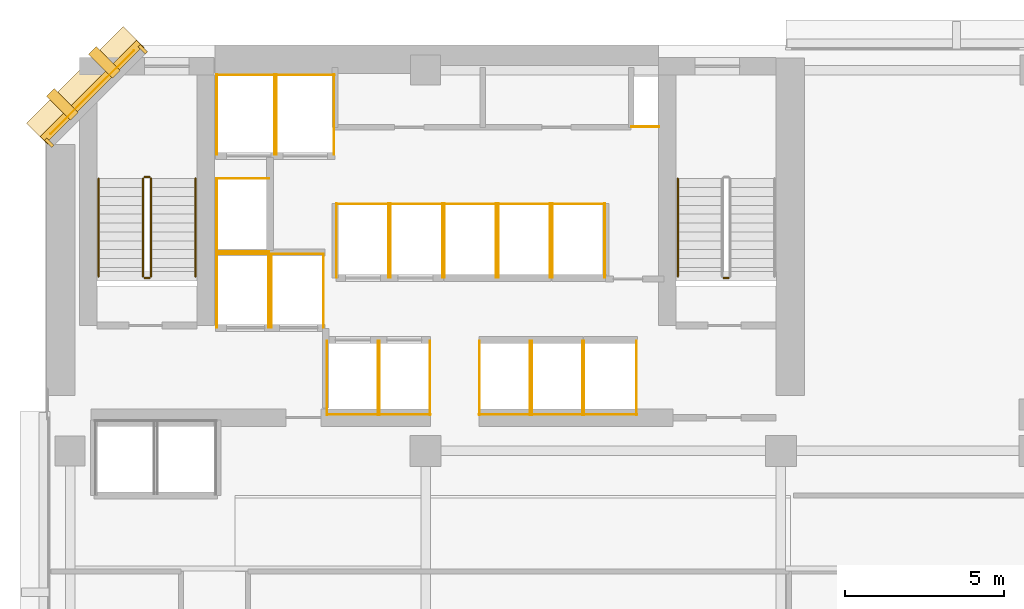
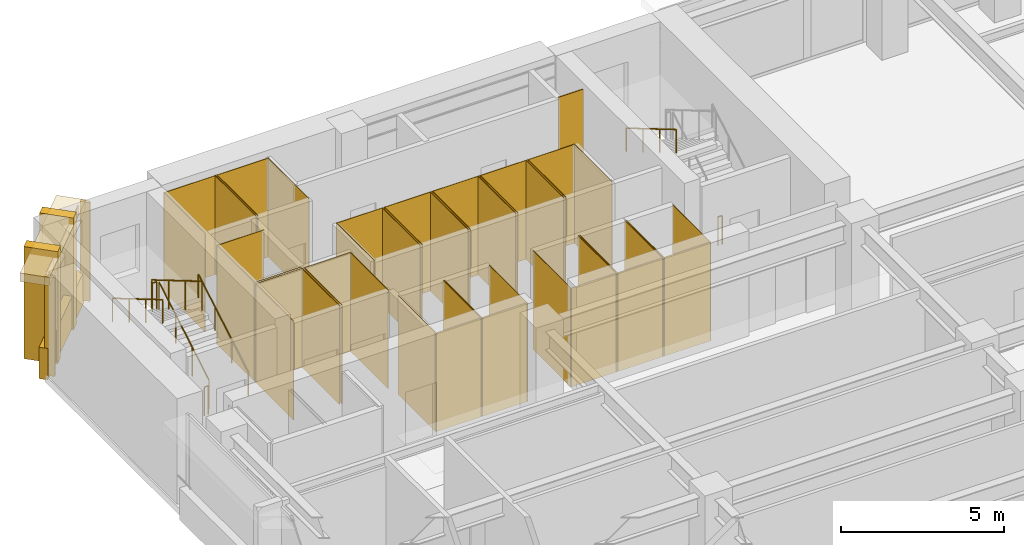
# One storey, part 11 of 13: 53 coverings, 8 railings.
"""IFC4 building model written with IfcOpenShell, lengths in metres."""

from ifc_helpers import new_model, si_unit, direction, frame, origin, origin_2d, place, context, subcontext, project, spatial, polyline, rectangle, circle, outline, extrude, material, layer, layer_set, type_object, element, save


model = new_model("IFC4")

# Units and contexts
model_context = context("Model", 3, precision=1e-05, world=origin(), true_north=direction((0.0, 1.0)))
body_context = subcontext(model_context, "Body", "Model", "MODEL_VIEW")
ifc_project = project(units=[si_unit("LENGTHUNIT", "METRE"), si_unit("AREAUNIT", "SQUARE_METRE"), si_unit("VOLUMEUNIT", "CUBIC_METRE"), si_unit("PLANEANGLEUNIT", "RADIAN"), si_unit("MASSUNIT", "GRAM", prefix="KILO")], contexts=[model_context])

# Site, building, storey
site_placement = place(None, origin())
site = spatial("IfcSite", under=ifc_project, at=site_placement, CompositionType="ELEMENT")
building_placement = place(site_placement, origin())
building = spatial("IfcBuilding", under=site, at=building_placement, Name="Kefirva Bronze Tower", CompositionType="ELEMENT")
storey_placement = place(building_placement, frame((0.0, 0.0, 85.800048828125)))
storey = spatial("IfcBuildingStorey", under=building, at=storey_placement, Name="L20", CompositionType="ELEMENT", Elevation=85.800048828125)

# Coverings
ifc_material_1 = material(Name="Bronze anodised aluminium", Category="aluminium")
ifc_layer_1 = layer(ifc_material_1, 0.02001953125, Name="Bronze anodised aluminium")
ifc_layer_set_1 = layer_set([ifc_layer_1], Name="Bronze anodised aluminium")
covering_type_1 = type_object("IfcCoveringType", Name="Anodised Bronze Spandrel Cladding 20mm", PredefinedType="CLADDING", material=ifc_layer_set_1)
covering_1_placement = place(storey_placement, frame((1.492919921875, 44.507080078125, 3.2900390625), z_axis=(0.0, 0.0, 1.0), x_axis=(-0.707106781187, -0.707106781187, 0.0)))
element("IfcCovering", 1, at=covering_1_placement, inside=storey, type_object=covering_type_1, Name="L20 Bronze Spandrel Cladding 6", PredefinedType="CLADDING", context=body_context, shape_type="SweptSolid", body=[
    extrude(rectangle(XDim=3.719482421875, YDim=0.02001953125, at=origin_2d()), origin(), (0.0, 0.0, 1.0), 0.39990234375),
])
for number, where, z_axis, x_axis, name in (
    (2, (3.08837890625, 45.862060546875, 0.0), (0.0, 0.0, 1.0), (-0.707106781187, -0.707106781187, 0.0), "L20 Facade Joint Closure Panel 6S"),
    (3, (0.137939453125, 42.91162109375, 0.0), (0.0, 0.0, 1.0), (-0.707106781187, -0.707106781187, 0.0), "L20 Facade Joint Closure Panel 6E"),
):
    element("IfcCovering", number, at=place(storey_placement, frame(where, z_axis=z_axis, x_axis=x_axis)), inside=storey, type_object=covering_type_1, Name=name, PredefinedType="CLADDING", context=body_context, shape_type="SweptSolid", body=[
        extrude(rectangle(XDim=0.10009765625, YDim=0.320068359375, at=origin_2d()), origin(), (0.0, 0.0, 1.0), 3.7099609375),
    ])
covering_2_placement = place(storey_placement, frame((1.4716796875, 44.5283203125, -0.16015625), z_axis=(0.0, 0.0, 1.0), x_axis=(-0.707106781187, -0.707106781187, 0.0)))
element("IfcCovering", 4, at=covering_2_placement, inside=storey, type_object=covering_type_1, Name="L20 Streamline Horizontal Spandrel Band 9", PredefinedType="CLADDING", context=body_context, shape_type="SweptSolid", body=[
    extrude(rectangle(XDim=4.28271484375, YDim=0.280029296875, at=origin_2d()), origin(), (0.0, 0.0, 1.0), 1.179931640625),
])
covering_3_placement = place(storey_placement, origin())
element("IfcCovering", 5, at=covering_3_placement, inside=storey, type_object=covering_type_1, Name="L20 Lift FF1 Hoistway Liner N", PredefinedType="CLADDING", context=body_context, shape_type="SweptSolid", body=[
    extrude(outline(polyline([(5.39990234375, 39.389892578125), (7.080078125, 39.389892578125), (7.080078125, 39.409912109375), (5.39990234375, 39.409912109375), (5.39990234375, 39.389892578125)])), origin(), (0.0, 0.0, 1.0), 3.7099609375),
])
covering_4_placement = place(storey_placement, origin())
element("IfcCovering", 6, at=covering_4_placement, inside=storey, type_object=covering_type_1, Name="L20 Lift FF1 Hoistway Liner W", PredefinedType="CLADDING", context=body_context, shape_type="SweptSolid", body=[
    extrude(outline(polyline([(5.409912109375, 37.080078125), (5.429931640625, 37.080078125), (5.429931640625, 39.419921875), (5.409912109375, 39.419921875), (5.409912109375, 37.080078125)])), origin(), (0.0, 0.0, 1.0), 3.7099609375),
])
covering_5_placement = place(storey_placement, origin())
element("IfcCovering", 7, at=covering_5_placement, inside=storey, type_object=covering_type_1, Name="L20 Lift FF1 Hoistway Liner E", PredefinedType="CLADDING", context=body_context, shape_type="SweptSolid", body=[
    extrude(outline(polyline([(7.050048828125, 37.080078125), (7.070068359375, 37.080078125), (7.070068359375, 39.419921875), (7.050048828125, 39.419921875), (7.050048828125, 37.080078125)])), origin(), (0.0, 0.0, 1.0), 3.7099609375),
])
covering_6_placement = place(storey_placement, origin())
element("IfcCovering", 8, at=covering_6_placement, inside=storey, type_object=covering_type_1, Name="L20 Lift FF2 Hoistway Liner N", PredefinedType="CLADDING", context=body_context, shape_type="SweptSolid", body=[
    extrude(outline(polyline([(7.1201171875, 39.389892578125), (8.800048828125, 39.389892578125), (8.800048828125, 39.409912109375), (7.1201171875, 39.409912109375), (7.1201171875, 39.389892578125)])), origin(), (0.0, 0.0, 1.0), 3.7099609375),
])
covering_7_placement = place(storey_placement, origin())
element("IfcCovering", 9, at=covering_7_placement, inside=storey, type_object=covering_type_1, Name="L20 Lift FF2 Hoistway Liner W", PredefinedType="CLADDING", context=body_context, shape_type="SweptSolid", body=[
    extrude(outline(polyline([(7.1298828125, 37.080078125), (7.14990234375, 37.080078125), (7.14990234375, 39.419921875), (7.1298828125, 39.419921875), (7.1298828125, 37.080078125)])), origin(), (0.0, 0.0, 1.0), 3.7099609375),
])
covering_8_placement = place(storey_placement, origin())
element("IfcCovering", 10, at=covering_8_placement, inside=storey, type_object=covering_type_1, Name="L20 Lift FF2 Hoistway Liner E", PredefinedType="CLADDING", context=body_context, shape_type="SweptSolid", body=[
    extrude(outline(polyline([(8.77001953125, 37.080078125), (8.7900390625, 37.080078125), (8.7900390625, 39.419921875), (8.77001953125, 39.419921875), (8.77001953125, 37.080078125)])), origin(), (0.0, 0.0, 1.0), 3.7099609375),
])
covering_9_placement = place(storey_placement, origin())
element("IfcCovering", 11, at=covering_9_placement, inside=storey, type_object=covering_type_1, Name="L20 Lift SV1 Hoistway Liner N", PredefinedType="CLADDING", context=body_context, shape_type="SweptSolid", body=[
    extrude(outline(polyline([(5.39990234375, 45.0400390625), (7.260009765625, 45.0400390625), (7.260009765625, 45.06005859375), (5.39990234375, 45.06005859375), (5.39990234375, 45.0400390625)])), origin(), (0.0, 0.0, 1.0), 3.7099609375),
])
covering_10_placement = place(storey_placement, origin())
element("IfcCovering", 12, at=covering_10_placement, inside=storey, type_object=covering_type_1, Name="L20 Lift SV1 Hoistway Liner W", PredefinedType="CLADDING", context=body_context, shape_type="SweptSolid", body=[
    extrude(outline(polyline([(5.409912109375, 42.530029296875), (5.429931640625, 42.530029296875), (5.429931640625, 45.070068359375), (5.409912109375, 45.070068359375), (5.409912109375, 42.530029296875)])), origin(), (0.0, 0.0, 1.0), 3.7099609375),
])
covering_11_placement = place(storey_placement, origin())
element("IfcCovering", 13, at=covering_11_placement, inside=storey, type_object=covering_type_1, Name="L20 Lift SV1 Hoistway Liner E", PredefinedType="CLADDING", context=body_context, shape_type="SweptSolid", body=[
    extrude(outline(polyline([(7.22998046875, 42.530029296875), (7.25, 42.530029296875), (7.25, 45.070068359375), (7.22998046875, 45.070068359375), (7.22998046875, 42.530029296875)])), origin(), (0.0, 0.0, 1.0), 3.7099609375),
])
covering_12_placement = place(storey_placement, origin())
element("IfcCovering", 14, at=covering_12_placement, inside=storey, type_object=covering_type_1, Name="L20 Lift SV2 Hoistway Liner N", PredefinedType="CLADDING", context=body_context, shape_type="SweptSolid", body=[
    extrude(outline(polyline([(7.280029296875, 45.0400390625), (9.139892578125, 45.0400390625), (9.139892578125, 45.06005859375), (7.280029296875, 45.06005859375), (7.280029296875, 45.0400390625)])), origin(), (0.0, 0.0, 1.0), 3.7099609375),
])
covering_13_placement = place(storey_placement, origin())
element("IfcCovering", 15, at=covering_13_placement, inside=storey, type_object=covering_type_1, Name="L20 Lift SV2 Hoistway Liner W", PredefinedType="CLADDING", context=body_context, shape_type="SweptSolid", body=[
    extrude(outline(polyline([(7.2900390625, 42.530029296875), (7.31005859375, 42.530029296875), (7.31005859375, 45.070068359375), (7.2900390625, 45.070068359375), (7.2900390625, 42.530029296875)])), origin(), (0.0, 0.0, 1.0), 3.7099609375),
])
covering_14_placement = place(storey_placement, origin())
element("IfcCovering", 16, at=covering_14_placement, inside=storey, type_object=covering_type_1, Name="L20 Lift SV2 Hoistway Liner E", PredefinedType="CLADDING", context=body_context, shape_type="SweptSolid", body=[
    extrude(outline(polyline([(9.110107421875, 42.530029296875), (9.1298828125, 42.530029296875), (9.1298828125, 45.070068359375), (9.110107421875, 45.070068359375), (9.110107421875, 42.530029296875)])), origin(), (0.0, 0.0, 1.0), 3.7099609375),
])
covering_15_placement = place(storey_placement, origin())
element("IfcCovering", 17, at=covering_15_placement, inside=storey, type_object=covering_type_1, Name="L20 Lift LP1 Hoistway Liner S", PredefinedType="CLADDING", context=body_context, shape_type="SweptSolid", body=[
    extrude(outline(polyline([(8.8798828125, 34.340087890625), (10.52001953125, 34.340087890625), (10.52001953125, 34.360107421875), (8.8798828125, 34.360107421875), (8.8798828125, 34.340087890625)])), origin(), (0.0, 0.0, 1.0), 3.7099609375),
])
covering_16_placement = place(storey_placement, origin())
element("IfcCovering", 18, at=covering_16_placement, inside=storey, type_object=covering_type_1, Name="L20 Lift LP1 Hoistway Liner W", PredefinedType="CLADDING", context=body_context, shape_type="SweptSolid", body=[
    extrude(outline(polyline([(8.889892578125, 34.330078125), (8.909912109375, 34.330078125), (8.909912109375, 36.669921875), (8.889892578125, 36.669921875), (8.889892578125, 34.330078125)])), origin(), (0.0, 0.0, 1.0), 3.7099609375),
])
covering_17_placement = place(storey_placement, origin())
element("IfcCovering", 19, at=covering_17_placement, inside=storey, type_object=covering_type_1, Name="L20 Lift LP1 Hoistway Liner E", PredefinedType="CLADDING", context=body_context, shape_type="SweptSolid", body=[
    extrude(outline(polyline([(10.489990234375, 34.330078125), (10.510009765625, 34.330078125), (10.510009765625, 36.669921875), (10.489990234375, 36.669921875), (10.489990234375, 34.330078125)])), origin(), (0.0, 0.0, 1.0), 3.7099609375),
])
covering_18_placement = place(storey_placement, origin())
element("IfcCovering", 20, at=covering_18_placement, inside=storey, type_object=covering_type_1, Name="L20 Lift LP2 Hoistway Liner S", PredefinedType="CLADDING", context=body_context, shape_type="SweptSolid", body=[
    extrude(outline(polyline([(10.52001953125, 34.340087890625), (12.159912109375, 34.340087890625), (12.159912109375, 34.360107421875), (10.52001953125, 34.360107421875), (10.52001953125, 34.340087890625)])), origin(), (0.0, 0.0, 1.0), 3.7099609375),
])
covering_19_placement = place(storey_placement, origin())
element("IfcCovering", 21, at=covering_19_placement, inside=storey, type_object=covering_type_1, Name="L20 Lift LP2 Hoistway Liner W", PredefinedType="CLADDING", context=body_context, shape_type="SweptSolid", body=[
    extrude(outline(polyline([(10.530029296875, 34.330078125), (10.550048828125, 34.330078125), (10.550048828125, 36.669921875), (10.530029296875, 36.669921875), (10.530029296875, 34.330078125)])), origin(), (0.0, 0.0, 1.0), 3.7099609375),
])
covering_20_placement = place(storey_placement, origin())
element("IfcCovering", 22, at=covering_20_placement, inside=storey, type_object=covering_type_1, Name="L20 Lift LP2 Hoistway Liner E", PredefinedType="CLADDING", context=body_context, shape_type="SweptSolid", body=[
    extrude(outline(polyline([(12.1298828125, 34.330078125), (12.14990234375, 34.330078125), (12.14990234375, 36.669921875), (12.1298828125, 36.669921875), (12.1298828125, 34.330078125)])), origin(), (0.0, 0.0, 1.0), 3.7099609375),
])
covering_21_placement = place(storey_placement, origin())
element("IfcCovering", 23, at=covering_21_placement, inside=storey, type_object=covering_type_1, Name="L20 Lift LP3 Hoistway Liner N", PredefinedType="CLADDING", context=body_context, shape_type="SweptSolid", body=[
    extrude(outline(polyline([(9.179931640625, 40.969970703125), (10.85009765625, 40.969970703125), (10.85009765625, 40.989990234375), (9.179931640625, 40.989990234375), (9.179931640625, 40.969970703125)])), origin(), (0.0, 0.0, 1.0), 3.7099609375),
])
covering_22_placement = place(storey_placement, origin())
element("IfcCovering", 24, at=covering_22_placement, inside=storey, type_object=covering_type_1, Name="L20 Lift LP3 Hoistway Liner W", PredefinedType="CLADDING", context=body_context, shape_type="SweptSolid", body=[
    extrude(outline(polyline([(9.18994140625, 38.659912109375), (9.2099609375, 38.659912109375), (9.2099609375, 41.0), (9.18994140625, 41.0), (9.18994140625, 38.659912109375)])), origin(), (0.0, 0.0, 1.0), 3.7099609375),
])
covering_23_placement = place(storey_placement, origin())
element("IfcCovering", 25, at=covering_23_placement, inside=storey, type_object=covering_type_1, Name="L20 Lift LP3 Hoistway Liner E", PredefinedType="CLADDING", context=body_context, shape_type="SweptSolid", body=[
    extrude(outline(polyline([(10.820068359375, 38.659912109375), (10.840087890625, 38.659912109375), (10.840087890625, 41.0), (10.820068359375, 41.0), (10.820068359375, 38.659912109375)])), origin(), (0.0, 0.0, 1.0), 3.7099609375),
])
covering_24_placement = place(storey_placement, origin())
element("IfcCovering", 26, at=covering_24_placement, inside=storey, type_object=covering_type_1, Name="L20 Lift LP4 Hoistway Liner N", PredefinedType="CLADDING", context=body_context, shape_type="SweptSolid", body=[
    extrude(outline(polyline([(10.8798828125, 40.969970703125), (12.550048828125, 40.969970703125), (12.550048828125, 40.989990234375), (10.8798828125, 40.989990234375), (10.8798828125, 40.969970703125)])), origin(), (0.0, 0.0, 1.0), 3.7099609375),
])
covering_25_placement = place(storey_placement, origin())
element("IfcCovering", 27, at=covering_25_placement, inside=storey, type_object=covering_type_1, Name="L20 Lift LP4 Hoistway Liner W", PredefinedType="CLADDING", context=body_context, shape_type="SweptSolid", body=[
    extrude(outline(polyline([(10.889892578125, 38.659912109375), (10.909912109375, 38.659912109375), (10.909912109375, 41.0), (10.889892578125, 41.0), (10.889892578125, 38.659912109375)])), origin(), (0.0, 0.0, 1.0), 3.7099609375),
])
covering_26_placement = place(storey_placement, origin())
element("IfcCovering", 28, at=covering_26_placement, inside=storey, type_object=covering_type_1, Name="L20 Lift LP4 Hoistway Liner E", PredefinedType="CLADDING", context=body_context, shape_type="SweptSolid", body=[
    extrude(outline(polyline([(12.52001953125, 38.659912109375), (12.5400390625, 38.659912109375), (12.5400390625, 41.0), (12.52001953125, 41.0), (12.52001953125, 38.659912109375)])), origin(), (0.0, 0.0, 1.0), 3.7099609375),
])
covering_27_placement = place(storey_placement, origin())
element("IfcCovering", 29, at=covering_27_placement, inside=storey, type_object=covering_type_1, Name="L20 Lift MP1 Hoistway Liner S", PredefinedType="CLADDING", context=body_context, shape_type="SweptSolid", body=[
    extrude(outline(polyline([(13.679931640625, 34.340087890625), (15.320068359375, 34.340087890625), (15.320068359375, 34.360107421875), (13.679931640625, 34.360107421875), (13.679931640625, 34.340087890625)])), origin(), (0.0, 0.0, 1.0), 3.7099609375),
])
covering_28_placement = place(storey_placement, origin())
element("IfcCovering", 30, at=covering_28_placement, inside=storey, type_object=covering_type_1, Name="L20 Lift MP1 Hoistway Liner W", PredefinedType="CLADDING", context=body_context, shape_type="SweptSolid", body=[
    extrude(outline(polyline([(13.68994140625, 34.330078125), (13.7099609375, 34.330078125), (13.7099609375, 36.669921875), (13.68994140625, 36.669921875), (13.68994140625, 34.330078125)])), origin(), (0.0, 0.0, 1.0), 3.7099609375),
])
covering_29_placement = place(storey_placement, origin())
element("IfcCovering", 31, at=covering_29_placement, inside=storey, type_object=covering_type_1, Name="L20 Lift MP1 Hoistway Liner E", PredefinedType="CLADDING", context=body_context, shape_type="SweptSolid", body=[
    extrude(outline(polyline([(15.2900390625, 34.330078125), (15.31005859375, 34.330078125), (15.31005859375, 36.669921875), (15.2900390625, 36.669921875), (15.2900390625, 34.330078125)])), origin(), (0.0, 0.0, 1.0), 3.7099609375),
])
covering_30_placement = place(storey_placement, origin())
element("IfcCovering", 32, at=covering_30_placement, inside=storey, type_object=covering_type_1, Name="L20 Lift MP2 Hoistway Liner S", PredefinedType="CLADDING", context=body_context, shape_type="SweptSolid", body=[
    extrude(outline(polyline([(15.330078125, 34.340087890625), (16.969970703125, 34.340087890625), (16.969970703125, 34.360107421875), (15.330078125, 34.360107421875), (15.330078125, 34.340087890625)])), origin(), (0.0, 0.0, 1.0), 3.7099609375),
])
covering_31_placement = place(storey_placement, origin())
element("IfcCovering", 33, at=covering_31_placement, inside=storey, type_object=covering_type_1, Name="L20 Lift MP2 Hoistway Liner W", PredefinedType="CLADDING", context=body_context, shape_type="SweptSolid", body=[
    extrude(outline(polyline([(15.340087890625, 34.330078125), (15.360107421875, 34.330078125), (15.360107421875, 36.669921875), (15.340087890625, 36.669921875), (15.340087890625, 34.330078125)])), origin(), (0.0, 0.0, 1.0), 3.7099609375),
])
covering_32_placement = place(storey_placement, origin())
element("IfcCovering", 34, at=covering_32_placement, inside=storey, type_object=covering_type_1, Name="L20 Lift MP2 Hoistway Liner E", PredefinedType="CLADDING", context=body_context, shape_type="SweptSolid", body=[
    extrude(outline(polyline([(16.93994140625, 34.330078125), (16.9599609375, 34.330078125), (16.9599609375, 36.669921875), (16.93994140625, 36.669921875), (16.93994140625, 34.330078125)])), origin(), (0.0, 0.0, 1.0), 3.7099609375),
])
covering_33_placement = place(storey_placement, origin())
element("IfcCovering", 35, at=covering_33_placement, inside=storey, type_object=covering_type_1, Name="L20 Lift MP3 Hoistway Liner N", PredefinedType="CLADDING", context=body_context, shape_type="SweptSolid", body=[
    extrude(outline(polyline([(12.580078125, 40.969970703125), (14.25, 40.969970703125), (14.25, 40.989990234375), (12.580078125, 40.989990234375), (12.580078125, 40.969970703125)])), origin(), (0.0, 0.0, 1.0), 3.7099609375),
])
covering_34_placement = place(storey_placement, origin())
element("IfcCovering", 36, at=covering_34_placement, inside=storey, type_object=covering_type_1, Name="L20 Lift MP3 Hoistway Liner W", PredefinedType="CLADDING", context=body_context, shape_type="SweptSolid", body=[
    extrude(outline(polyline([(12.590087890625, 38.659912109375), (12.610107421875, 38.659912109375), (12.610107421875, 41.0), (12.590087890625, 41.0), (12.590087890625, 38.659912109375)])), origin(), (0.0, 0.0, 1.0), 3.7099609375),
])
covering_35_placement = place(storey_placement, origin())
element("IfcCovering", 37, at=covering_35_placement, inside=storey, type_object=covering_type_1, Name="L20 Lift MP3 Hoistway Liner E", PredefinedType="CLADDING", context=body_context, shape_type="SweptSolid", body=[
    extrude(outline(polyline([(14.219970703125, 38.659912109375), (14.239990234375, 38.659912109375), (14.239990234375, 41.0), (14.219970703125, 41.0), (14.219970703125, 38.659912109375)])), origin(), (0.0, 0.0, 1.0), 3.7099609375),
])
covering_36_placement = place(storey_placement, origin())
element("IfcCovering", 38, at=covering_36_placement, inside=storey, type_object=covering_type_1, Name="L20 Lift MP4 Hoistway Liner N", PredefinedType="CLADDING", context=body_context, shape_type="SweptSolid", body=[
    extrude(outline(polyline([(14.280029296875, 40.969970703125), (15.949951171875, 40.969970703125), (15.949951171875, 40.989990234375), (14.280029296875, 40.989990234375), (14.280029296875, 40.969970703125)])), origin(), (0.0, 0.0, 1.0), 3.7099609375),
])
covering_37_placement = place(storey_placement, origin())
element("IfcCovering", 39, at=covering_37_placement, inside=storey, type_object=covering_type_1, Name="L20 Lift MP4 Hoistway Liner W", PredefinedType="CLADDING", context=body_context, shape_type="SweptSolid", body=[
    extrude(outline(polyline([(14.2900390625, 38.659912109375), (14.31005859375, 38.659912109375), (14.31005859375, 41.0), (14.2900390625, 41.0), (14.2900390625, 38.659912109375)])), origin(), (0.0, 0.0, 1.0), 3.7099609375),
])
covering_38_placement = place(storey_placement, origin())
element("IfcCovering", 40, at=covering_38_placement, inside=storey, type_object=covering_type_1, Name="L20 Lift MP4 Hoistway Liner E", PredefinedType="CLADDING", context=body_context, shape_type="SweptSolid", body=[
    extrude(outline(polyline([(15.919921875, 38.659912109375), (15.93994140625, 38.659912109375), (15.93994140625, 41.0), (15.919921875, 41.0), (15.919921875, 38.659912109375)])), origin(), (0.0, 0.0, 1.0), 3.7099609375),
])
covering_39_placement = place(storey_placement, origin())
element("IfcCovering", 41, at=covering_39_placement, inside=storey, type_object=covering_type_1, Name="L20 Lift HP1 Hoistway Liner S", PredefinedType="CLADDING", context=body_context, shape_type="SweptSolid", body=[
    extrude(outline(polyline([(16.97998046875, 34.340087890625), (18.669921875, 34.340087890625), (18.669921875, 34.360107421875), (16.97998046875, 34.360107421875), (16.97998046875, 34.340087890625)])), origin(), (0.0, 0.0, 1.0), 3.7099609375),
])
covering_40_placement = place(storey_placement, origin())
element("IfcCovering", 42, at=covering_40_placement, inside=storey, type_object=covering_type_1, Name="L20 Lift HP1 Hoistway Liner W", PredefinedType="CLADDING", context=body_context, shape_type="SweptSolid", body=[
    extrude(outline(polyline([(16.989990234375, 34.330078125), (17.010009765625, 34.330078125), (17.010009765625, 36.669921875), (16.989990234375, 36.669921875), (16.989990234375, 34.330078125)])), origin(), (0.0, 0.0, 1.0), 3.7099609375),
])
covering_41_placement = place(storey_placement, origin())
element("IfcCovering", 43, at=covering_41_placement, inside=storey, type_object=covering_type_1, Name="L20 Lift HP1 Hoistway Liner E", PredefinedType="CLADDING", context=body_context, shape_type="SweptSolid", body=[
    extrude(outline(polyline([(18.639892578125, 34.330078125), (18.659912109375, 34.330078125), (18.659912109375, 36.669921875), (18.639892578125, 36.669921875), (18.639892578125, 34.330078125)])), origin(), (0.0, 0.0, 1.0), 3.7099609375),
])
covering_42_placement = place(storey_placement, origin())
element("IfcCovering", 44, at=covering_42_placement, inside=storey, type_object=covering_type_1, Name="L20 Lift HP2 Hoistway Liner N", PredefinedType="CLADDING", context=body_context, shape_type="SweptSolid", body=[
    extrude(outline(polyline([(15.97998046875, 40.969970703125), (17.669921875, 40.969970703125), (17.669921875, 40.989990234375), (15.97998046875, 40.989990234375), (15.97998046875, 40.969970703125)])), origin(), (0.0, 0.0, 1.0), 3.7099609375),
])
covering_43_placement = place(storey_placement, origin())
element("IfcCovering", 45, at=covering_43_placement, inside=storey, type_object=covering_type_1, Name="L20 Lift HP2 Hoistway Liner W", PredefinedType="CLADDING", context=body_context, shape_type="SweptSolid", body=[
    extrude(outline(polyline([(15.989990234375, 38.659912109375), (16.010009765625, 38.659912109375), (16.010009765625, 41.0), (15.989990234375, 41.0), (15.989990234375, 38.659912109375)])), origin(), (0.0, 0.0, 1.0), 3.7099609375),
])
covering_44_placement = place(storey_placement, origin())
element("IfcCovering", 46, at=covering_44_placement, inside=storey, type_object=covering_type_1, Name="L20 Lift HP2 Hoistway Liner E", PredefinedType="CLADDING", context=body_context, shape_type="SweptSolid", body=[
    extrude(outline(polyline([(17.639892578125, 38.659912109375), (17.659912109375, 38.659912109375), (17.659912109375, 41.0), (17.639892578125, 41.0), (17.639892578125, 38.659912109375)])), origin(), (0.0, 0.0, 1.0), 3.7099609375),
])
covering_45_placement = place(storey_placement, origin())
element("IfcCovering", 47, at=covering_45_placement, inside=storey, type_object=covering_type_1, Name="L20 Lift HP3 Hoistway Liner N", PredefinedType="CLADDING", context=body_context, shape_type="SweptSolid", body=[
    extrude(outline(polyline([(5.39990234375, 41.77001953125), (7.080078125, 41.77001953125), (7.080078125, 41.7900390625), (5.39990234375, 41.7900390625), (5.39990234375, 41.77001953125)])), origin(), (0.0, 0.0, 1.0), 3.7099609375),
])
covering_46_placement = place(storey_placement, origin())
element("IfcCovering", 48, at=covering_46_placement, inside=storey, type_object=covering_type_1, Name="L20 Lift HP3 Hoistway Liner S", PredefinedType="CLADDING", context=body_context, shape_type="SweptSolid", body=[
    extrude(outline(polyline([(5.39990234375, 39.469970703125), (7.080078125, 39.469970703125), (7.080078125, 39.489990234375), (5.39990234375, 39.489990234375), (5.39990234375, 39.469970703125)])), origin(), (0.0, 0.0, 1.0), 3.7099609375),
])
covering_47_placement = place(storey_placement, origin())
element("IfcCovering", 49, at=covering_47_placement, inside=storey, type_object=covering_type_1, Name="L20 Lift HP3 Hoistway Liner W", PredefinedType="CLADDING", context=body_context, shape_type="SweptSolid", body=[
    extrude(outline(polyline([(5.409912109375, 39.4599609375), (5.429931640625, 39.4599609375), (5.429931640625, 41.800048828125), (5.409912109375, 41.800048828125), (5.409912109375, 39.4599609375)])), origin(), (0.0, 0.0, 1.0), 3.7099609375),
])
covering_48_placement = place(storey_placement, origin())
element("IfcCovering", 50, at=covering_48_placement, inside=storey, type_object=covering_type_1, Name="L20 Core MEP Riser Shaft Liner South", PredefinedType="CLADDING", context=body_context, shape_type="SweptSolid", body=[
    extrude(outline(polyline([(18.47998046875, 43.39990234375), (19.360107421875, 43.39990234375), (19.360107421875, 43.429931640625), (18.47998046875, 43.429931640625), (18.47998046875, 43.39990234375)])), origin(), (0.0, 0.0, 1.0), 3.7099609375),
])

# Railings
ifc_material_2 = material(Name="Stainless steel 316", Category="steel")
railing_type_1 = type_object("IfcRailingType", Name="Interior Stair Guardrail 1100mm", PredefinedType="GUARDRAIL", material=ifc_material_2)
railing_1_placement = place(storey_placement, frame((3.35009765625, 38.699951171875, 0.1650390625)))
element("IfcRailing", 51, at=railing_1_placement, inside=storey, type_object=railing_type_1, Name="L20 ST-1 stair guard 1", PredefinedType="GUARDRAIL", context=body_context, shape_type="SweptSolid", body=[
    extrude(circle(Radius=0.02392578125, at=origin_2d()), frame((0.0, 0.0, 1.076171875), z_axis=(0.0, 0.861551262678, 0.507670583921), x_axis=(-1.0, 0.0, 0.0)), (0.0, 0.0, 1.0), 3.574951171875),
    extrude(circle(Radius=0.02099609375, at=origin_2d()), origin(), (0.0, 0.0, 1.0), 1.052001953125),
    extrude(circle(Radius=0.02099609375, at=origin_2d()), frame((0.0, 1.026611328125, 0.60498046875)), (0.0, 0.0, 1.0), 1.052001953125),
    extrude(circle(Radius=0.02099609375, at=origin_2d()), frame((0.0, 2.053466796875, 1.2099609375)), (0.0, 0.0, 1.0), 1.052001953125),
    extrude(circle(Radius=0.02099609375, at=origin_2d()), frame((0.0, 3.080078125, 1.81494140625)), (0.0, 0.0, 1.0), 1.052001953125),
])
railing_2_placement = place(storey_placement, frame((3.300048828125, 41.830078125, 1.97998046875)))
element("IfcRailing", 52, at=railing_2_placement, inside=storey, type_object=railing_type_1, Name="L20 ST-1 stair guard 2", PredefinedType="GUARDRAIL", context=body_context, shape_type="SweptSolid", body=[
    extrude(circle(Radius=0.02392578125, at=origin_2d()), frame((0.0, 0.0, 1.076171875), z_axis=(-1.0, 0.0, 0.0), x_axis=(0.0, -1.0, 0.0)), (0.0, 0.0, 1.0), 0.150146484375),
    extrude(circle(Radius=0.02099609375, at=origin_2d()), origin(), (0.0, 0.0, 1.0), 1.052001953125),
    extrude(circle(Radius=0.02099609375, at=origin_2d()), frame((-0.150146484375, 0.0, 0.0)), (0.0, 0.0, 1.0), 1.052001953125),
])
railing_3_placement = place(storey_placement, frame((3.10009765625, 41.780029296875, 2.14501953125)))
element("IfcRailing", 53, at=railing_3_placement, inside=storey, type_object=railing_type_1, Name="L20 ST-1 stair guard 3", PredefinedType="GUARDRAIL", context=body_context, shape_type="SweptSolid", body=[
    extrude(circle(Radius=0.02392578125, at=origin_2d()), frame((0.0, 0.0, 1.076171875), z_axis=(0.0, -0.861551262678, 0.507670583921), x_axis=(1.0, 0.0, 0.0)), (0.0, 0.0, 1.0), 3.574951171875),
    extrude(circle(Radius=0.02099609375, at=origin_2d()), origin(), (0.0, 0.0, 1.0), 1.052001953125),
    extrude(circle(Radius=0.02099609375, at=origin_2d()), frame((0.0, -1.026611328125, 0.60498046875)), (0.0, 0.0, 1.0), 1.052001953125),
    extrude(circle(Radius=0.02099609375, at=origin_2d()), frame((0.0, -2.053466796875, 1.2099609375)), (0.0, 0.0, 1.0), 1.052001953125),
    extrude(circle(Radius=0.02099609375, at=origin_2d()), frame((0.0, -3.080078125, 1.81494140625)), (0.0, 0.0, 1.0), 1.052001953125),
])
for number, where, name in (
    (54, (3.300048828125, 38.64990234375, 0.0), "L20 ST-1 stair guard 4"),
    (55, (21.550048828125, 38.64990234375, 0.0), "L20 ST-2 stair guard 4"),
):
    element("IfcRailing", number, at=place(storey_placement, frame(where)), inside=storey, type_object=railing_type_1, Name=name, PredefinedType="GUARDRAIL", context=body_context, shape_type="SweptSolid", body=[
        extrude(circle(Radius=0.02392578125, at=origin_2d()), frame((0.0, 0.0, 1.076171875), z_axis=(-1.0, 0.0, 0.0), x_axis=(0.0, -1.0, 0.0)), (0.0, 0.0, 1.0), 0.150146484375),
        extrude(circle(Radius=0.02099609375, at=origin_2d()), origin(), (0.0, 0.0, 1.0), 1.052001953125),
        extrude(circle(Radius=0.02099609375, at=origin_2d()), frame((-0.150146484375, 0.0, 0.0)), (0.0, 0.0, 1.0), 1.052001953125),
    ])
railing_type_2 = type_object("IfcRailingType", Name="Stair Pitch Handrail 900mm", PredefinedType="HANDRAIL", material=ifc_material_2)
railing_4_placement = place(storey_placement, frame((4.75, 38.699951171875, 0.1650390625)))
element("IfcRailing", 56, at=railing_4_placement, inside=storey, type_object=railing_type_2, Name="L20 ST-1 stair handrail 1", PredefinedType="HANDRAIL", context=body_context, shape_type="SweptSolid", body=[
    extrude(circle(Radius=0.02392578125, at=origin_2d()), frame((0.0, 0.0, 0.8759765625), z_axis=(0.0, 0.861551262678, 0.507670583921), x_axis=(-1.0, 0.0, 0.0)), (0.0, 0.0, 1.0), 3.574951171875),
    extrude(circle(Radius=0.02099609375, at=origin_2d()), origin(), (0.0, 0.0, 1.0), 0.851806640625),
    extrude(circle(Radius=0.02099609375, at=origin_2d()), frame((0.0, 1.026611328125, 0.60498046875)), (0.0, 0.0, 1.0), 0.851806640625),
    extrude(circle(Radius=0.02099609375, at=origin_2d()), frame((0.0, 2.053466796875, 1.2099609375)), (0.0, 0.0, 1.0), 0.851806640625),
    extrude(circle(Radius=0.02099609375, at=origin_2d()), frame((0.0, 3.080078125, 1.81494140625)), (0.0, 0.0, 1.0), 0.851806640625),
])
for number, where, name in (
    (57, (1.699951171875, 41.780029296875, 2.14501953125), "L20 ST-1 stair handrail 2"),
    (58, (19.949951171875, 41.780029296875, 2.14501953125), "L20 ST-2 stair handrail 2"),
):
    element("IfcRailing", number, at=place(storey_placement, frame(where)), inside=storey, type_object=railing_type_2, Name=name, PredefinedType="HANDRAIL", context=body_context, shape_type="SweptSolid", body=[
        extrude(circle(Radius=0.02392578125, at=origin_2d()), frame((0.0, 0.0, 0.8759765625), z_axis=(0.0, -0.861551262678, 0.507670583921), x_axis=(1.0, 0.0, 0.0)), (0.0, 0.0, 1.0), 3.574951171875),
        extrude(circle(Radius=0.02099609375, at=origin_2d()), origin(), (0.0, 0.0, 1.0), 0.851806640625),
        extrude(circle(Radius=0.02099609375, at=origin_2d()), frame((0.0, -1.026611328125, 0.60498046875)), (0.0, 0.0, 1.0), 0.851806640625),
        extrude(circle(Radius=0.02099609375, at=origin_2d()), frame((0.0, -2.053466796875, 1.2099609375)), (0.0, 0.0, 1.0), 0.851806640625),
        extrude(circle(Radius=0.02099609375, at=origin_2d()), frame((0.0, -3.080078125, 1.81494140625)), (0.0, 0.0, 1.0), 0.851806640625),
    ])

# Coverings
ifc_layer_2 = layer(ifc_material_1, 0.179931640625, Name="Bronze anodised aluminium")
ifc_layer_set_2 = layer_set([ifc_layer_2], Name="Bronze anodised aluminium")
covering_type_2 = type_object("IfcCoveringType", Name="Streamline Bronze Sunshade Eyebrow Cladding 180mm", PredefinedType="CLADDING", material=ifc_layer_set_2)
covering_49_placement = place(storey_placement, frame((1.28076171875, 44.71923828125, 3.39013671875), z_axis=(0.0, 0.0, 1.0), x_axis=(-0.707106781187, -0.707106781187, 0.0)))
element("IfcCovering", 59, at=covering_49_placement, inside=storey, type_object=covering_type_2, Name="L20 Streamline Bronze Sunshade Eyebrow 9", PredefinedType="CLADDING", context=body_context, shape_type="SweptSolid", body=[
    extrude(rectangle(XDim=4.322509765625, YDim=0.93994140625, at=origin_2d()), origin(), (0.0, 0.0, 1.0), 0.320068359375),
])
ifc_layer_3 = layer(ifc_material_1, 0.260009765625, Name="Bronze anodised aluminium")
ifc_layer_set_3 = layer_set([ifc_layer_3], Name="Bronze anodised aluminium")
covering_type_3 = type_object("IfcCoveringType", Name="Unbroken Bronze Buttress Fin Cladding 260mm", PredefinedType="CLADDING", material=ifc_layer_set_3)
for number, where, z_axis, x_axis, name in (
    (60, (1.877197265625, 45.44287109375, -0.25), (0.0, 0.0, 1.0), (-0.707106781187, -0.707106781187, 0.0), "L20 Chamfered Corner Buttress Fin Cladding 23"),
    (61, (0.55712890625, 44.122802734375, -0.25), (0.0, 0.0, 1.0), (-0.707106781187, -0.707106781187, 0.0), "L20 Chamfered Corner Buttress Fin Cladding 24"),
):
    element("IfcCovering", number, at=place(storey_placement, frame(where, z_axis=z_axis, x_axis=x_axis)), inside=storey, type_object=covering_type_3, Name=name, PredefinedType="CLADDING", context=body_context, shape_type="SweptSolid", body=[
        extrude(rectangle(XDim=0.340087890625, YDim=1.080078125, at=origin_2d()), origin(), (0.0, 0.0, 1.0), 4.2099609375),
    ])

save(model, "model.ifc")
